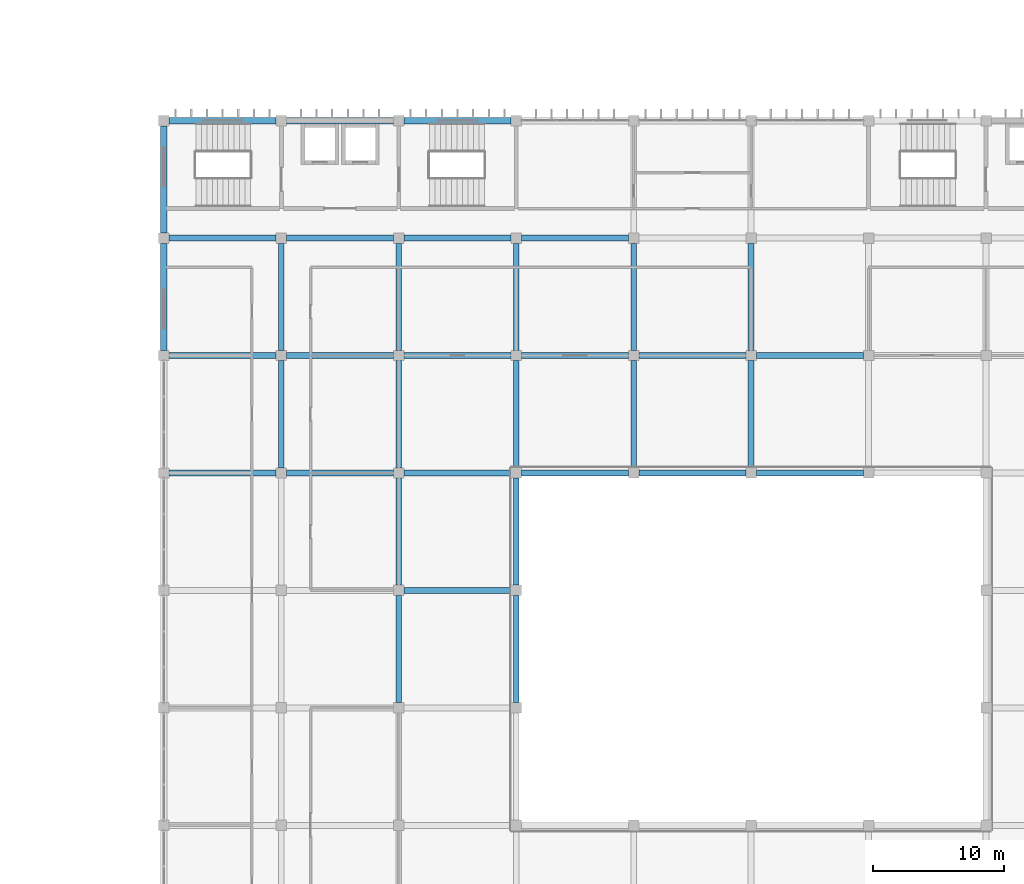
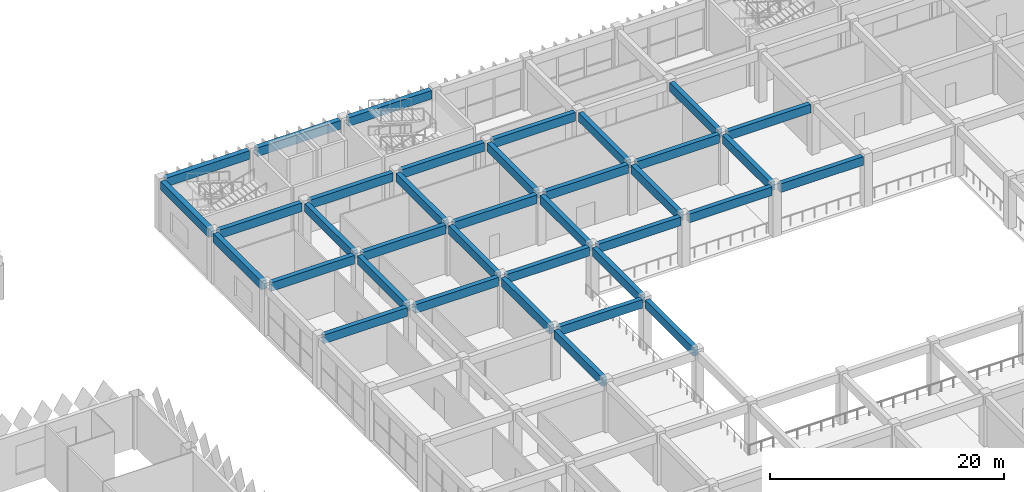
# One storey, part 78 of 185: 36 beams.
"""IFC4 building model written with IfcOpenShell, lengths in metres."""

import ifcopenshell
import ifcopenshell.guid

model = None  # the IFC model being written
_history = None  # IfcOwnerHistory: only IFC2X3 demands one
_inside = {}  # id of a spatial element -> (the spatial element, [elements in it])
_under = {}  # id of a project, library or spatial element -> (it, [spatial elements below it])
_declared = {}  # id of a project -> (the project, [libraries it declares])
_typed = {}  # id of a type object -> (the type object, [elements of that type])
_made_of = {}  # id of a material, layer set ... -> (it, [elements and type objects made of it])


def new_model(schema):
    """Start an empty IFC model of exactly this schema.

    Asked for "IFC4X3", IfcOpenShell would pick the latest addendum, in which some entities
    have other attributes; the version numbers below select the first issue.
    IFC2X3 requires an IfcOwnerHistory on every rooted entity: one is made here for all.
    """
    global model, _history
    if schema == "IFC4X3":
        model = ifcopenshell.file(schema_version=(4, 3, 0, 0))
    else:
        model = ifcopenshell.file(schema=schema)
    _inside.clear()
    _under.clear()
    _declared.clear()
    _typed.clear()
    _made_of.clear()
    _history = None
    if model.schema == "IFC2X3":
        org = make("IfcOrganization", Name="unknown")
        user = make(
            "IfcPersonAndOrganization",
            ThePerson=make("IfcPerson", FamilyName="unknown"),
            TheOrganization=org,
        )
        app = make(
            "IfcApplication",
            ApplicationDeveloper=org,
            Version="unknown",
            ApplicationFullName="unknown",
            ApplicationIdentifier="unknown",
        )
        _history = make(
            "IfcOwnerHistory",
            OwningUser=user,
            OwningApplication=app,
            ChangeAction="ADDED",
            CreationDate=0,
        )
    return model


def make(cls, **values):
    """One entity of the class cls with the attributes given. An attribute that is None is left unset."""
    return model.create_entity(
        cls, **{name: value for name, value in values.items() if value is not None}
    )


def rooted(cls, **values):
    """An entity with a GlobalId (a new one), such as an element, a storey or a relation."""
    return make(cls, GlobalId=ifcopenshell.guid.new(), OwnerHistory=_history, **values)


def si_unit(unit_type, name, prefix=None):
    """IfcSIUnit, for example si_unit("LENGTHUNIT", "METRE", prefix="MILLI")."""
    return make("IfcSIUnit", UnitType=unit_type, Prefix=prefix, Name=name)


def assignment(units):
    """IfcUnitAssignment: the units of a project."""
    return None if units is None else make("IfcUnitAssignment", Units=units)


def point(xyz):
    """IfcCartesianPoint."""
    return None if xyz is None else make("IfcCartesianPoint", Coordinates=xyz)


def direction(xyz):
    """IfcDirection."""
    return None if xyz is None else make("IfcDirection", DirectionRatios=xyz)


def frame(location, z_axis=None, x_axis=None):
    """IfcAxis2Placement3D, a coordinate frame: its origin and axes. An axis left out is left unset."""
    return make(
        "IfcAxis2Placement3D",
        Location=point(location),
        Axis=direction(z_axis),
        RefDirection=direction(x_axis),
    )


def frame_2d(location, x_axis=None):
    """IfcAxis2Placement2D, a coordinate frame in the plane: its origin and x axis."""
    return make(
        "IfcAxis2Placement2D", Location=point(location), RefDirection=direction(x_axis)
    )


def origin():
    """The frame at (0, 0, 0) with its axes left unset."""
    return frame((0.0, 0.0, 0.0))


def origin_2d():
    """The frame at (0, 0) in the plane with its x axis left unset."""
    return frame_2d((0.0, 0.0))


def place(relative_to, where):
    """IfcLocalPlacement: puts the frame where relative to a parent placement (None: the world)."""
    return make(
        "IfcLocalPlacement", PlacementRelTo=relative_to, RelativePlacement=where
    )


def context(
    kind, dimensions, precision=None, world=None, true_north=None, identifier=None
):
    """IfcGeometricRepresentationContext, for example the 3D "Model" context."""
    return make(
        "IfcGeometricRepresentationContext",
        ContextIdentifier=identifier,
        ContextType=kind,
        CoordinateSpaceDimension=dimensions,
        Precision=precision,
        WorldCoordinateSystem=world,
        TrueNorth=true_north,
    )


def subcontext(parent, identifier, kind, view, scale=None):
    """IfcGeometricRepresentationSubContext, for example "Body" below "Model"."""
    return make(
        "IfcGeometricRepresentationSubContext",
        ContextIdentifier=identifier,
        ContextType=kind,
        ParentContext=parent,
        TargetScale=scale,
        TargetView=view,
    )


def project(units=None, contexts=None):
    """IfcProject with its units and contexts."""
    return rooted(
        "IfcProject",
        Name="project",
        RepresentationContexts=contexts,
        UnitsInContext=assignment(units),
    )


def spatial(cls, under=None, at=None, **own):
    """A site, building, storey or space (cls), placed at a placement, below another one or the project."""
    s = rooted(cls, ObjectPlacement=at, **own)
    if under is not None:
        _under.setdefault(under.id(), (under, []))[1].append(s)
    return s


def profile(cls, at=None, kind="AREA", **sizes):
    """A parametric profile (cls). Its sizes go by their IFC names, for example OverallWidth=200.0."""
    return make(cls, ProfileType=kind, Position=at, **sizes)


def rectangle(**sizes):
    """IfcRectangleProfileDef."""
    return profile("IfcRectangleProfileDef", **sizes)


def extrude(swept, where, along, depth):
    """IfcExtrudedAreaSolid: the profile swept, set in the frame where, extruded along a direction by depth."""
    return make(
        "IfcExtrudedAreaSolid",
        SweptArea=swept,
        Position=where,
        ExtrudedDirection=direction(along),
        Depth=depth,
    )


def shape(context_of_items, identifier, shape_type, items):
    """IfcShapeRepresentation: the items that make up one representation, for example the "Body"."""
    return make(
        "IfcShapeRepresentation",
        ContextOfItems=context_of_items,
        RepresentationIdentifier=identifier,
        RepresentationType=shape_type,
        Items=items,
    )


def material(Name=None, Category=None):
    """IfcMaterial."""
    return make("IfcMaterial", Name=Name, Category=Category)


def material_profile(
    of_material, cross_section, Name=None, Category=None, Priority=None
):
    """IfcMaterialProfile: a cross section and its material."""
    return make(
        "IfcMaterialProfile",
        Name=Name,
        Material=of_material,
        Profile=cross_section,
        Priority=Priority,
        Category=Category,
    )


def profile_set(profiles, Name=None, composite=None):
    """IfcMaterialProfileSet."""
    return make(
        "IfcMaterialProfileSet",
        Name=Name,
        MaterialProfiles=profiles,
        CompositeProfile=composite,
    )


def made_of(thing, what):
    """Note that an element or type object is made of a material, layer set ...; save() writes the relation."""
    if what is not None:
        _made_of.setdefault(what.id(), (what, []))[1].append(thing)
    return thing


def type_object(cls, material=None, **own):
    """A type object (cls), such as IfcWallType, which elements share."""
    return made_of(rooted(cls, **own), material)


def element(
    cls,
    number,
    at=None,
    inside=None,
    cuts=None,
    type_object=None,
    material=None,
    context=None,
    identifier="Body",
    shape_type=None,
    held_by="IfcProductDefinitionShape",
    body=None,
    shapes=None,
    **own,
):
    """One element of the class cls, such as IfcWall. Its Tag is "e" and its number.

    at: its placement. inside: the storey or other place that contains it. cuts: it is an
    opening in that element (IfcRelVoidsElement). A single representation is given by context,
    identifier, shape_type and body (its items); several are given by shapes. held_by: the class
    of the entity that holds the representations. save() writes the other relations.
    """
    e = rooted(cls, Tag="e%d" % number, ObjectPlacement=at, **own)
    if body is not None:
        shapes = [shape(context, identifier, shape_type, body)]
    if shapes is not None:
        e.Representation = make(held_by, Representations=shapes)
    if inside is not None:
        _inside.setdefault(inside.id(), (inside, []))[1].append(e)
    if cuts is not None:
        rooted(
            "IfcRelVoidsElement", RelatingBuildingElement=cuts, RelatedOpeningElement=e
        )
    if type_object is not None:
        _typed.setdefault(type_object.id(), (type_object, []))[1].append(e)
    return made_of(e, material)


def aggregate(whole, parts):
    """IfcRelAggregates: a whole, such as a stair, and the parts it consists of."""
    return rooted("IfcRelAggregates", RelatingObject=whole, RelatedObjects=parts)


def save(model, path):
    """Write the relations noted so far, then the file.

    IfcRelAggregates (storeys below a building ...), IfcRelContainedInSpatialStructure (elements
    in a storey), IfcRelDefinesByType, IfcRelAssociatesMaterial and IfcRelDeclares: one each for
    every whole, place, type object, material and project.
    """
    for whole, parts in _under.values():
        aggregate(whole, parts)
    for where, things in _inside.values():
        rooted(
            "IfcRelContainedInSpatialStructure",
            RelatedElements=things,
            RelatingStructure=where,
        )
    for kind, things in _typed.values():
        rooted("IfcRelDefinesByType", RelatedObjects=things, RelatingType=kind)
    for what, things in _made_of.values():
        rooted("IfcRelAssociatesMaterial", RelatedObjects=things, RelatingMaterial=what)
    for by, libraries in _declared.values():
        rooted("IfcRelDeclares", RelatingContext=by, RelatedDefinitions=libraries)
    model.write(path)


model = new_model("IFC4")

# Units and contexts
model_context = context("Model", 3, precision=1e-05, world=origin(), true_north=direction((0.0, 1.0)))
body_context = subcontext(model_context, "Body", "Model", "MODEL_VIEW")
ifc_project = project(units=[si_unit("LENGTHUNIT", "METRE"), si_unit("AREAUNIT", "SQUARE_METRE"), si_unit("VOLUMEUNIT", "CUBIC_METRE"), si_unit("PLANEANGLEUNIT", "RADIAN"), si_unit("MASSUNIT", "GRAM", prefix="KILO")], contexts=[model_context])

# Site, building, storey
site_placement = place(None, origin())
site = spatial("IfcSite", under=ifc_project, at=site_placement, CompositionType="ELEMENT")
building_placement = place(site_placement, origin())
building = spatial("IfcBuilding", under=site, at=building_placement, Name="Opaline Strait Convention Centre", CompositionType="ELEMENT")
storey_placement = place(building_placement, frame((0.0, 0.0, 6.0)))
storey = spatial("IfcBuildingStorey", under=building, at=storey_placement, Name="L01", CompositionType="ELEMENT", Elevation=6.0)

# Beams
ifc_material = material(Name="Concrete C35", Category="concrete")
ifc_material_profile_1 = material_profile(ifc_material, rectangle(XDim=0.449951171875, YDim=0.89990234375, at=origin_2d()), Name="RC 450x900")
ifc_profile_set_1 = profile_set([ifc_material_profile_1], Name="Concrete C35")
beam_type_1 = type_object("IfcBeamType", Name="RC beam 450x900 C35", PredefinedType="BEAM", material=ifc_profile_set_1)
for number, where, z_axis, x_axis, name in (
    (1, (297.39990234375, 144.0, 4.77001953125), (1.0, 0.0, 0.0), (0.0, 1.0, 0.0), "XB1 L01 34/S-35/S"),
    (2, (279.39990234375, 153.0, 4.77001953125), (1.0, 0.0, 0.0), (0.0, 1.0, 0.0), "XB1 L01 32/T-33/T"),
    (3, (288.39990234375, 153.0, 4.77001953125), (1.0, 0.0, 0.0), (0.0, 1.0, 0.0), "XB1 L01 33/T-34/T"),
    (4, (297.39990234375, 153.0, 4.77001953125), (1.0, 0.0, 0.0), (0.0, 1.0, 0.0), "XB1 L01 34/T-35/T"),
    (5, (306.39990234375, 153.0, 4.77001953125), (1.0, 0.0, 0.0), (0.0, 1.0, 0.0), "XB1 L01 35/T-36/T"),
    (6, (315.39990234375, 153.0, 4.77001953125), (1.0, 0.0, 0.0), (0.0, 1.0, 0.0), "XB1 L01 36/T-37/T"),
    (7, (324.39990234375, 153.0, 4.77001953125), (1.0, 0.0, 0.0), (0.0, 1.0, 0.0), "XB1 L01 37/T-38/T"),
    (8, (279.39990234375, 162.0, 4.77001953125), (1.0, 0.0, 0.0), (0.0, 1.0, 0.0), "XB1 L01 32/U-33/U"),
    (9, (288.39990234375, 162.0, 4.77001953125), (1.0, 0.0, 0.0), (0.0, 1.0, 0.0), "XB1 L01 33/U-34/U"),
    (10, (297.39990234375, 162.0, 4.77001953125), (1.0, 0.0, 0.0), (0.0, 1.0, 0.0), "XB1 L01 34/U-35/U"),
    (11, (306.39990234375, 162.0, 4.77001953125), (1.0, 0.0, 0.0), (0.0, 1.0, 0.0), "XB1 L01 35/U-36/U"),
    (12, (315.39990234375, 162.0, 4.77001953125), (1.0, 0.0, 0.0), (0.0, 1.0, 0.0), "XB1 L01 36/U-37/U"),
    (13, (324.39990234375, 162.0, 4.77001953125), (1.0, 0.0, 0.0), (0.0, 1.0, 0.0), "XB1 L01 37/U-38/U"),
    (14, (279.39990234375, 171.0, 4.77001953125), (1.0, 0.0, 0.0), (0.0, 1.0, 0.0), "XB1 L01 32/V-33/V"),
    (15, (288.39990234375, 171.0, 4.77001953125), (1.0, 0.0, 0.0), (0.0, 1.0, 0.0), "XB1 L01 33/V-34/V"),
    (16, (297.39990234375, 171.0, 4.77001953125), (1.0, 0.0, 0.0), (0.0, 1.0, 0.0), "XB1 L01 34/V-35/V"),
    (17, (306.39990234375, 171.0, 4.77001953125), (1.0, 0.0, 0.0), (0.0, 1.0, 0.0), "XB1 L01 35/V-36/V"),
    (18, (288.0, 153.39990234375, 4.77001953125), (0.0, 1.0, 0.0), (-1.0, 0.0, 0.0), "XB1 L01 33/T-33/U"),
    (19, (288.0, 162.39990234375, 4.77001953125), (0.0, 1.0, 0.0), (-1.0, 0.0, 0.0), "XB1 L01 33/U-33/V"),
    (20, (297.0, 135.39990234375, 4.77001953125), (0.0, 1.0, 0.0), (-1.0, 0.0, 0.0), "XB1 L01 34/R-34/S"),
    (21, (297.0, 144.39990234375, 4.77001953125), (0.0, 1.0, 0.0), (-1.0, 0.0, 0.0), "XB1 L01 34/S-34/T"),
    (22, (297.0, 153.39990234375, 4.77001953125), (0.0, 1.0, 0.0), (-1.0, 0.0, 0.0), "XB1 L01 34/T-34/U"),
    (23, (297.0, 162.39990234375, 4.77001953125), (0.0, 1.0, 0.0), (-1.0, 0.0, 0.0), "XB1 L01 34/U-34/V"),
    (24, (306.0, 135.39990234375, 4.77001953125), (0.0, 1.0, 0.0), (-1.0, 0.0, 0.0), "XB1 L01 35/R-35/S"),
    (25, (306.0, 144.39990234375, 4.77001953125), (0.0, 1.0, 0.0), (-1.0, 0.0, 0.0), "XB1 L01 35/S-35/T"),
    (26, (306.0, 153.39990234375, 4.77001953125), (0.0, 1.0, 0.0), (-1.0, 0.0, 0.0), "XB1 L01 35/T-35/U"),
    (27, (306.0, 162.39990234375, 4.77001953125), (0.0, 1.0, 0.0), (-1.0, 0.0, 0.0), "XB1 L01 35/U-35/V"),
    (28, (315.0, 153.39990234375, 4.77001953125), (0.0, 1.0, 0.0), (-1.0, 0.0, 0.0), "XB1 L01 36/T-36/U"),
    (29, (315.0, 162.39990234375, 4.77001953125), (0.0, 1.0, 0.0), (-1.0, 0.0, 0.0), "XB1 L01 36/U-36/V"),
    (30, (324.0, 153.39990234375, 4.77001953125), (0.0, 1.0, 0.0), (-1.0, 0.0, 0.0), "XB1 L01 37/T-37/U"),
    (31, (324.0, 162.39990234375, 4.77001953125), (0.0, 1.0, 0.0), (-1.0, 0.0, 0.0), "XB1 L01 37/U-37/V"),
):
    element("IfcBeam", number, at=place(storey_placement, frame(where, z_axis=z_axis, x_axis=x_axis)), inside=storey, type_object=beam_type_1, Name=name, PredefinedType="BEAM", context=body_context, shape_type="SweptSolid", body=[
        extrude(rectangle(XDim=0.449951171875, YDim=0.89990234375, at=origin_2d()), origin(), (0.0, 0.0, 1.0), 8.2001953125),
    ])
ifc_material_profile_2 = material_profile(ifc_material, rectangle(XDim=0.5, YDim=0.89990234375, at=origin_2d()), Name="RC 500x900")
ifc_profile_set_2 = profile_set([ifc_material_profile_2], Name="Concrete C35")
beam_type_2 = type_object("IfcBeamType", Name="RC edge beam 500x900 C35", PredefinedType="BEAM", material=ifc_profile_set_2)
for number, where, z_axis, x_axis, name in (
    (32, (279.39990234375, 180.0, 4.77001953125), (1.0, 0.0, 0.0), (0.0, 1.0, 0.0), "MRB2 L01 32/W-33/W"),
    (33, (288.39990234375, 180.0, 4.77001953125), (1.0, 0.0, 0.0), (0.0, 1.0, 0.0), "MRB2 L01 33/W-34/W"),
    (34, (297.39990234375, 180.0, 4.77001953125), (1.0, 0.0, 0.0), (0.0, 1.0, 0.0), "MRB2 L01 34/W-35/W"),
    (35, (279.0, 162.39990234375, 4.77001953125), (0.0, 1.0, 0.0), (-1.0, 0.0, 0.0), "MRB2 L01 32/U-32/V"),
    (36, (279.0, 171.39990234375, 4.77001953125), (0.0, 1.0, 0.0), (-1.0, 0.0, 0.0), "MRB2 L01 32/V-32/W"),
):
    element("IfcBeam", number, at=place(storey_placement, frame(where, z_axis=z_axis, x_axis=x_axis)), inside=storey, type_object=beam_type_2, Name=name, PredefinedType="BEAM", context=body_context, shape_type="SweptSolid", body=[
        extrude(rectangle(XDim=0.5, YDim=0.89990234375, at=origin_2d()), origin(), (0.0, 0.0, 1.0), 8.2001953125),
    ])

save(model, "model.ifc")
